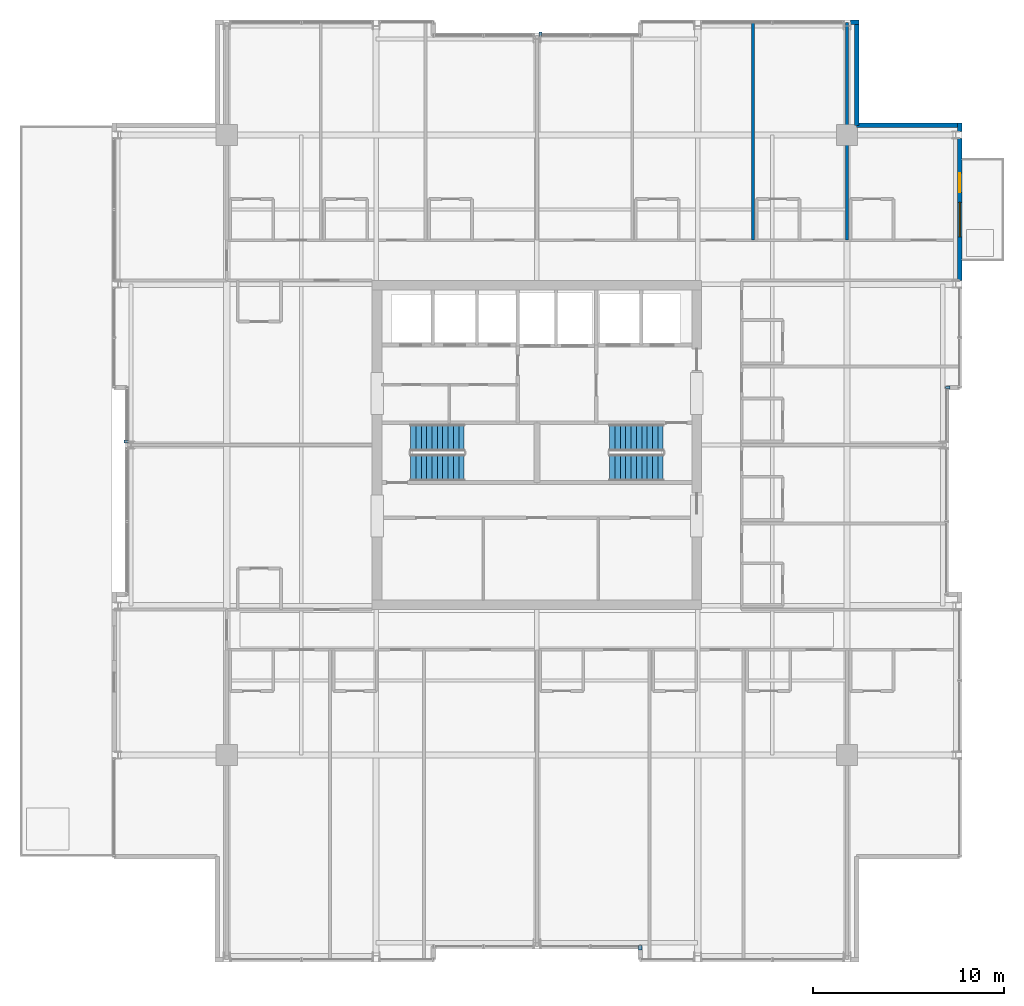
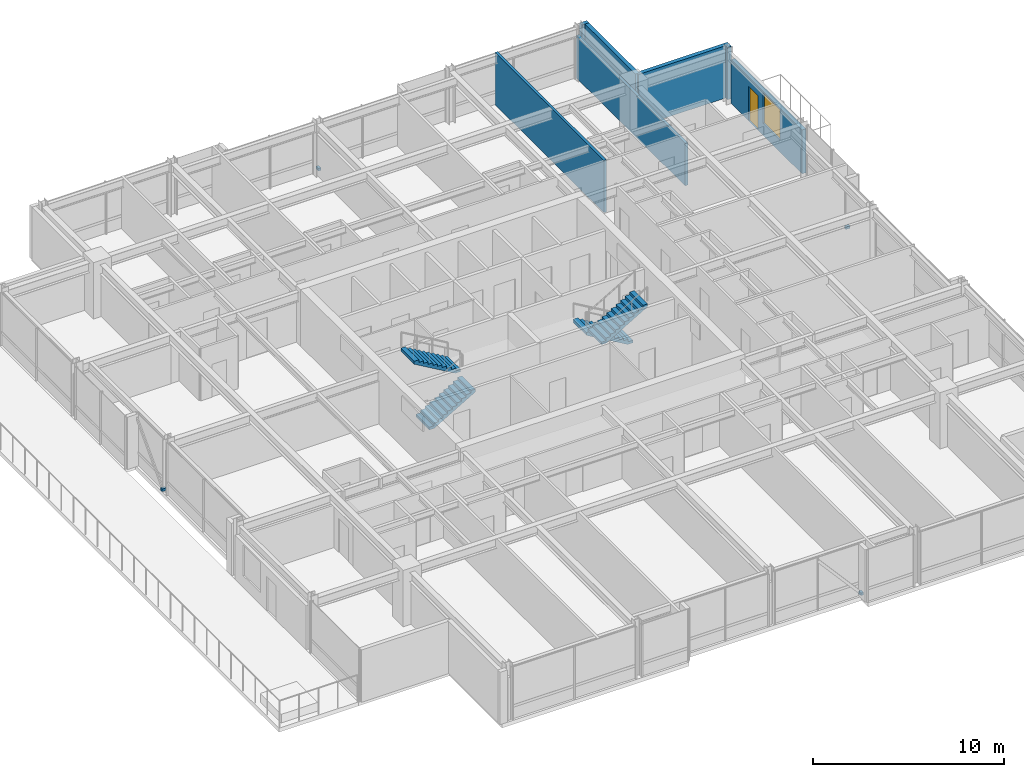
# One storey, part 29 of 32: 7 walls, 4 discrete accessories, 4 stair flights, 1 door, 1 window, 2 openings, 2 elements without a shape of their own.
"""IFC4 building model written with IfcOpenShell, lengths in metres."""

from ifc_helpers import new_model, si_unit, direction, frame, frame_2d, origin, origin_2d, place, context, subcontext, project, spatial, polyline, rectangle, outline, extrude, material, layer, layer_set, type_object, element, fill, aggregate, save


model = new_model("IFC4")

# Units and contexts
model_context = context("Model", 3, precision=1e-05, world=origin(), true_north=direction((0.0, 1.0)))
body_context = subcontext(model_context, "Body", "Model", "MODEL_VIEW")
ifc_project = project(units=[si_unit("LENGTHUNIT", "METRE"), si_unit("AREAUNIT", "SQUARE_METRE"), si_unit("VOLUMEUNIT", "CUBIC_METRE"), si_unit("PLANEANGLEUNIT", "RADIAN"), si_unit("MASSUNIT", "GRAM", prefix="KILO")], contexts=[model_context])

# Site, building, storey
site_placement = place(None, origin())
site = spatial("IfcSite", under=ifc_project, at=site_placement, CompositionType="ELEMENT")
building_placement = place(site_placement, origin())
building = spatial("IfcBuilding", under=site, at=building_placement, Name="Drelvath Grand Hotel", CompositionType="ELEMENT")
storey_placement = place(building_placement, frame((0.0, 0.0, 205.10009765625)))
storey = spatial("IfcBuildingStorey", under=building, at=storey_placement, Name="L53", CompositionType="ELEMENT", Elevation=205.10009765625)

# Walls
ifc_material_1 = material(Name="Gypsum Acoustic Partition")
ifc_layer_1 = layer(ifc_material_1, 0.14990234375)
ifc_layer_set_1 = layer_set([ifc_layer_1], Name="Gypsum Acoustic Partition")
wall_type_1 = type_object("IfcWallType", Name="Guestroom Demising Wall 150", PredefinedType="PARTITIONING", material=ifc_layer_set_1)
wall_1_placement = place(storey_placement, frame((11.291015625, 37.699951171875, 0.0), z_axis=(0.0, 0.0, 1.0), x_axis=(0.0, 1.0, 0.0)))
element("IfcWall", 1, at=wall_1_placement, inside=storey, type_object=wall_type_1, Name="L53 North Demising 5", PredefinedType="PARTITIONING", context=body_context, shape_type="SweptSolid", body=[
    extrude(rectangle(XDim=11.380126953125, YDim=0.14990234375, at=frame_2d((5.68994140625, 0.0))), origin(), (0.0, 0.0, 1.0), 3.33984375),
])
ifc_layer_2 = layer(ifc_material_1, 0.1650390625)
ifc_layer_set_2 = layer_set([ifc_layer_2], Name="Gypsum Acoustic Partition")
wall_type_2 = type_object("IfcWallType", Name="Suite Demising Wall 165", PredefinedType="PARTITIONING", material=ifc_layer_set_2)
wall_2_placement = place(storey_placement, frame((16.199951171875, 37.699951171875, 0.0), z_axis=(0.0, 0.0, 1.0), x_axis=(0.0, 1.0, 0.0)))
element("IfcWall", 2, at=wall_2_placement, inside=storey, type_object=wall_type_2, Name="L53 NE Suite Wall", PredefinedType="PARTITIONING", context=body_context, shape_type="SweptSolid", body=[
    extrude(rectangle(XDim=11.380126953125, YDim=0.1650390625, at=frame_2d((5.68994140625, 0.0))), origin(), (0.0, 0.0, 1.0), 2.713623046875),
])

# Wall, openings, window, door
ifc_material_2 = material(Name="Pale-Metal Insulated Aluminium Spandrel Assembly", Category="aluminium")
ifc_layer_3 = layer(ifc_material_2, 0.239990234375)
ifc_layer_set_3 = layer_set([ifc_layer_3], Name="Pale-Metal Insulated Aluminium Spandrel Assembly")
wall_type_3 = type_object("IfcWallType", Name="Tower Insulated Metal Spandrel Closure Wall 240", PredefinedType="STANDARD", material=ifc_layer_set_3)
wall_3_placement = place(storey_placement, frame((22.080078125, 43.0146484375, 0.0), z_axis=(0.0, 0.0, 1.0), x_axis=(0.0, -1.0, 0.0)))
wall_3 = element("IfcWall", 3, at=wall_3_placement, inside=storey, type_object=wall_type_3, Name="L53 Exterior Terrace Door Bay Wall EN2", PredefinedType="STANDARD", context=body_context, shape_type="SweptSolid", body=[
    extrude(rectangle(XDim=7.429443359375, YDim=0.239990234375, at=frame_2d((3.71484375, 0.0))), origin(), (0.0, 0.0, 1.0), 2.80322265625),
])
opening_1_placement = place(wall_3_placement, frame((1.814697265625, 0.0, 0.0)))
opening_1 = element("IfcOpeningElement", 4, at=opening_1_placement, cuts=wall_3, Name="Opening TD-1000", PredefinedType="OPENING", context=body_context, shape_type="SweptSolid", body=[
    extrude(rectangle(XDim=1.0, YDim=2.199951171875, at=frame_2d((0.5, 1.10009765625))), frame((0.0, 0.1298828125, 0.0), z_axis=(0.0, -1.0, 0.0), x_axis=(1.0, 0.0, 0.0)), (0.0, 0.0, 1.0), 0.260009765625),
])
opening_2_placement = place(wall_3_placement, frame((3.34619140625, 0.0, 0.75)))
opening_2 = element("IfcOpeningElement", 5, at=opening_2_placement, cuts=wall_3, Name="Opening W-02", PredefinedType="OPENING", context=body_context, shape_type="SweptSolid", body=[
    extrude(rectangle(XDim=1.800048828125, YDim=1.953369140625, at=frame_2d((0.89990234375, 0.9765625))), frame((0.0, 0.1298828125, 0.0), z_axis=(0.0, -1.0, 0.0), x_axis=(1.0, 0.0, 0.0)), (0.0, 0.0, 1.0), 0.260009765625),
])
ifc_material_3 = material(Name="Bronze Anodised Low-E Triple Glazing", Category="glass")
window_type = type_object("IfcWindowType", Name="Chicago Double-Pane Podium Window 1800x2400", PartitioningType="DOUBLE_PANEL_VERTICAL", PredefinedType="WINDOW", material=ifc_material_3)
window_placement = place(opening_2_placement, origin())
window = element("IfcWindow", 6, at=window_placement, inside=storey, type_object=window_type, Name="L53 Terrace Bay Companion Window EN2", OverallHeight=1.953369140625, OverallWidth=1.800048828125, PartitioningType="SINGLE_PANEL", PredefinedType="WINDOW", context=body_context, shape_type="SweptSolid", body=[
    extrude(rectangle(XDim=1.800048828125, YDim=1.953369140625, at=frame_2d((0.89990234375, 0.9765625))), frame((0.0, 0.030029296875, 0.0), z_axis=(0.0, -1.0, 0.0), x_axis=(1.0, 0.0, 0.0)), (0.0, 0.0, 1.0), 0.06005859375),
])
fill(opening_2, window)
ifc_material_4 = material(Name="Anodised Aluminium Thermally Broken Glazed Door", Category="aluminium")
door_type = type_object("IfcDoorType", Name="Terrace and Tree Balcony Glazed Door 1000x2200", OperationType="NOTDEFINED", PredefinedType="DOOR", material=ifc_material_4)
door_placement = place(opening_1_placement, origin())
door = element("IfcDoor", 7, at=door_placement, inside=storey, type_object=door_type, Name="L53 Tree Balcony Door DOOR-L53-TBAL-1", OperationType="SINGLE_SWING_RIGHT", OverallHeight=2.199951171875, OverallWidth=1.0, PredefinedType="DOOR", context=body_context, shape_type="SweptSolid", body=[
    extrude(rectangle(XDim=1.0, YDim=2.199951171875, at=frame_2d((0.5, 1.10009765625))), frame((0.0, 0.02490234375, 0.0), z_axis=(0.0, -1.0, 0.0), x_axis=(1.0, 0.0, 0.0)), (0.0, 0.0, 1.0), 0.050048828125),
])
fill(opening_1, door)

# Walls
for number, where, z_axis, x_axis, name in (
    (8, (22.080078125, 43.820068359375, 0.0), (0.0, 0.0, 1.0), (0.0, -1.0, 0.0), "L53 Corner Pier Spandrel Wall EN3"),
    (9, (16.38525390625, 49.080078125, 0.0), (0.0, 0.0, 1.0), (1.0, 0.0, 0.0), "L53 Corner Pier Spandrel Wall NE3"),
):
    element("IfcWall", number, at=place(storey_placement, frame(where, z_axis=z_axis, x_axis=x_axis)), inside=storey, type_object=wall_type_3, Name=name, PredefinedType="STANDARD", context=body_context, shape_type="SweptSolid", body=[
        extrude(rectangle(XDim=0.434814453125, YDim=0.239990234375, at=frame_2d((0.21728515625, 0.0))), origin(), (0.0, 0.0, 1.0), 3.33984375),
    ])
for number, where, z_axis, x_axis, name in (
    (10, (16.699951171875, 48.9599609375, 0.0), (0.0, 0.0, 1.0), (0.0, -1.0, 0.0), "L53 Notched Corner Return Spandrel Wall CNE1"),
    (11, (16.699951171875, 43.699951171875, 0.0), (0.0, 0.0, 1.0), (1.0, 0.0, 0.0), "L53 Notched Corner Return Spandrel Wall CNE2"),
):
    element("IfcWall", number, at=place(storey_placement, frame(where, z_axis=z_axis, x_axis=x_axis)), inside=storey, type_object=wall_type_3, Name=name, PredefinedType="STANDARD", context=body_context, shape_type="SweptSolid", body=[
        extrude(rectangle(XDim=5.260009765625, YDim=0.239990234375, at=frame_2d((2.6298828125, 0.0))), origin(), (0.0, 0.0, 1.0), 3.33984375),
    ])

# Stair, stair flights
ifc_material_5 = material(Name="Concrete C40/50", Category="concrete")
stair_type = type_object("IfcStairType", Name="Dogleg Exit Stair W1400-R163.6", PredefinedType="HALF_TURN_STAIR", material=ifc_material_5)
stair_1_placement = place(storey_placement, origin())
stair_1 = element("IfcStair", 12, at=stair_1_placement, inside=storey, type_object=stair_type, Name="L53 Core Exit Stair ST-1", PredefinedType="HALF_TURN_STAIR")
stair_flight_type = type_object("IfcStairFlightType", Name="Concrete Stair Flight W1400-R163.6", PredefinedType="STRAIGHT", material=ifc_material_5)
stair_flight_1_placement = place(storey_placement, frame((-6.60009765625, 25.820068359375, 0.0), z_axis=(0.0, 0.0, 1.0), x_axis=(1.0, 0.0, 0.0)))
stair_flight_1 = element("IfcStairFlight", 13, at=stair_flight_1_placement, type_object=stair_flight_type, Name="ST-1 flight 1", NumberOfRisers=11, NumberOfTreads=10, PredefinedType="STRAIGHT", RiserHeight=0.163636364, TreadLength=0.28, context=body_context, shape_type="SweptSolid", body=[
    extrude(outline(polyline([(0.0, 0.0), (0.0, 0.16357421875), (0.280029296875, 0.16357421875), (0.280029296875, 0.327392578125), (0.56005859375, 0.327392578125), (0.56005859375, 0.490966796875), (0.840087890625, 0.490966796875), (0.840087890625, 0.654541015625), (1.1201171875, 0.654541015625), (1.1201171875, 0.818115234375), (1.39990234375, 0.818115234375), (1.39990234375, 0.98193359375), (1.679931640625, 0.98193359375), (1.679931640625, 1.1455078125), (1.9599609375, 1.1455078125), (1.9599609375, 1.30908203125), (2.239990234375, 1.30908203125), (2.239990234375, 1.47265625), (2.52001953125, 1.47265625), (2.52001953125, 1.636474609375), (2.800048828125, 1.636474609375), (2.800048828125, 1.800048828125), (2.800048828125, 1.451171875), (0.31689453125, 0.0), (0.0, 0.0)])), frame((0.0, 0.699951171875, 0.0), z_axis=(0.0, -1.0, 0.0), x_axis=(1.0, 0.0, 0.0)), (0.0, 0.0, 1.0), 1.39990234375),
])
stair_flight_2_placement = place(storey_placement, frame((-3.800048828125, 27.3798828125, 1.7998046875), z_axis=(0.0, 0.0, 1.0), x_axis=(-1.0, 0.0, 0.0)))
stair_flight_2 = element("IfcStairFlight", 14, at=stair_flight_2_placement, type_object=stair_flight_type, Name="ST-1 flight 2", NumberOfRisers=11, NumberOfTreads=10, PredefinedType="STRAIGHT", RiserHeight=0.163636364, TreadLength=0.28, context=body_context, shape_type="SweptSolid", body=[
    extrude(outline(polyline([(0.0, 0.0), (0.0, 0.16357421875), (0.280029296875, 0.16357421875), (0.280029296875, 0.327392578125), (0.56005859375, 0.327392578125), (0.56005859375, 0.490966796875), (0.840087890625, 0.490966796875), (0.840087890625, 0.654541015625), (1.1201171875, 0.654541015625), (1.1201171875, 0.818115234375), (1.39990234375, 0.818115234375), (1.39990234375, 0.98193359375), (1.679931640625, 0.98193359375), (1.679931640625, 1.1455078125), (1.9599609375, 1.1455078125), (1.9599609375, 1.30908203125), (2.239990234375, 1.30908203125), (2.239990234375, 1.47265625), (2.52001953125, 1.47265625), (2.52001953125, 1.636474609375), (2.800048828125, 1.636474609375), (2.800048828125, 1.800048828125), (2.800048828125, 1.451171875), (0.31689453125, 0.0), (0.0, 0.0)])), frame((0.0, 0.699951171875, 0.0), z_axis=(0.0, -1.0, 0.0), x_axis=(1.0, 0.0, 0.0)), (0.0, 0.0, 1.0), 1.39990234375),
])
aggregate(stair_1, [stair_flight_1, stair_flight_2])

stair_2_placement = place(storey_placement, origin())
stair_2 = element("IfcStair", 15, at=stair_2_placement, inside=storey, type_object=stair_type, Name="L53 Core Exit Stair ST-2", PredefinedType="HALF_TURN_STAIR")
stair_flight_3_placement = place(storey_placement, frame((6.60009765625, 27.3798828125, 0.0), z_axis=(0.0, 0.0, 1.0), x_axis=(-1.0, 0.0, 0.0)))
stair_flight_3 = element("IfcStairFlight", 16, at=stair_flight_3_placement, type_object=stair_flight_type, Name="ST-2 flight 1", NumberOfRisers=11, NumberOfTreads=10, PredefinedType="STRAIGHT", RiserHeight=0.163636364, TreadLength=0.28, context=body_context, shape_type="SweptSolid", body=[
    extrude(outline(polyline([(0.0, 0.0), (0.0, 0.16357421875), (0.280029296875, 0.16357421875), (0.280029296875, 0.327392578125), (0.56005859375, 0.327392578125), (0.56005859375, 0.490966796875), (0.840087890625, 0.490966796875), (0.840087890625, 0.654541015625), (1.1201171875, 0.654541015625), (1.1201171875, 0.818115234375), (1.39990234375, 0.818115234375), (1.39990234375, 0.98193359375), (1.679931640625, 0.98193359375), (1.679931640625, 1.1455078125), (1.9599609375, 1.1455078125), (1.9599609375, 1.30908203125), (2.239990234375, 1.30908203125), (2.239990234375, 1.47265625), (2.52001953125, 1.47265625), (2.52001953125, 1.636474609375), (2.800048828125, 1.636474609375), (2.800048828125, 1.800048828125), (2.800048828125, 1.451171875), (0.31689453125, 0.0), (0.0, 0.0)])), frame((0.0, 0.699951171875, 0.0), z_axis=(0.0, -1.0, 0.0), x_axis=(1.0, 0.0, 0.0)), (0.0, 0.0, 1.0), 1.39990234375),
])
stair_flight_4_placement = place(storey_placement, frame((3.800048828125, 25.820068359375, 1.7998046875), z_axis=(0.0, 0.0, 1.0), x_axis=(1.0, 0.0, 0.0)))
stair_flight_4 = element("IfcStairFlight", 17, at=stair_flight_4_placement, type_object=stair_flight_type, Name="ST-2 flight 2", NumberOfRisers=11, NumberOfTreads=10, PredefinedType="STRAIGHT", RiserHeight=0.163636364, TreadLength=0.28, context=body_context, shape_type="SweptSolid", body=[
    extrude(outline(polyline([(0.0, 0.0), (0.0, 0.16357421875), (0.280029296875, 0.16357421875), (0.280029296875, 0.327392578125), (0.56005859375, 0.327392578125), (0.56005859375, 0.490966796875), (0.840087890625, 0.490966796875), (0.840087890625, 0.654541015625), (1.1201171875, 0.654541015625), (1.1201171875, 0.818115234375), (1.39990234375, 0.818115234375), (1.39990234375, 0.98193359375), (1.679931640625, 0.98193359375), (1.679931640625, 1.1455078125), (1.9599609375, 1.1455078125), (1.9599609375, 1.30908203125), (2.239990234375, 1.30908203125), (2.239990234375, 1.47265625), (2.52001953125, 1.47265625), (2.52001953125, 1.636474609375), (2.800048828125, 1.636474609375), (2.800048828125, 1.800048828125), (2.800048828125, 1.451171875), (0.31689453125, 0.0), (0.0, 0.0)])), frame((0.0, 0.699951171875, 0.0), z_axis=(0.0, -1.0, 0.0), x_axis=(1.0, 0.0, 0.0)), (0.0, 0.0, 1.0), 1.39990234375),
])
aggregate(stair_2, [stair_flight_3, stair_flight_4])

# Discrete accessories
ifc_material_6 = material(Name="Stainless Steel Grade 316", Category="steel")
discrete_accessory_type = type_object("IfcDiscreteAccessoryType", Name="Curtain Wall Fin Mounting Bracket Cleat", PredefinedType="BRACKET", material=ifc_material_6)
for number, where, z_axis, x_axis, name in (
    (18, (-21.4599609375, 27.185302734375, 0.10009765625), (0.0, 0.0, 1.0), (0.0, 1.0, 0.0), "L53 Fin Mounting Bracket CW05-L53-WM2-1"),
    (19, (21.4599609375, 30.0, 0.10009765625), (0.0, 0.0, 1.0), (0.0, -1.0, 0.0), "L53 Fin Mounting Bracket CW05-L53-EM2-1"),
    (20, (0.185302734375, 48.4599609375, 0.10009765625), (0.0, 0.0, 1.0), (1.0, 0.0, 0.0), "L53 Fin Mounting Bracket CW05-L53-NM2-1"),
    (21, (5.39990234375, 0.739990234375, 0.10009765625), (0.0, 0.0, 1.0), (-1.0, 0.0, 0.0), "L53 Fin Mounting Bracket CW05-L53-SM2-1"),
):
    element("IfcDiscreteAccessory", number, at=place(storey_placement, frame(where, z_axis=z_axis, x_axis=x_axis)), inside=storey, type_object=discrete_accessory_type, Name=name, PredefinedType="BRACKET", context=body_context, shape_type="SweptSolid", body=[
        extrude(rectangle(XDim=0.159912109375, YDim=0.239990234375, at=origin_2d()), origin(), (0.0, 0.0, 1.0), 0.159912109375),
    ])

save(model, "model.ifc")
